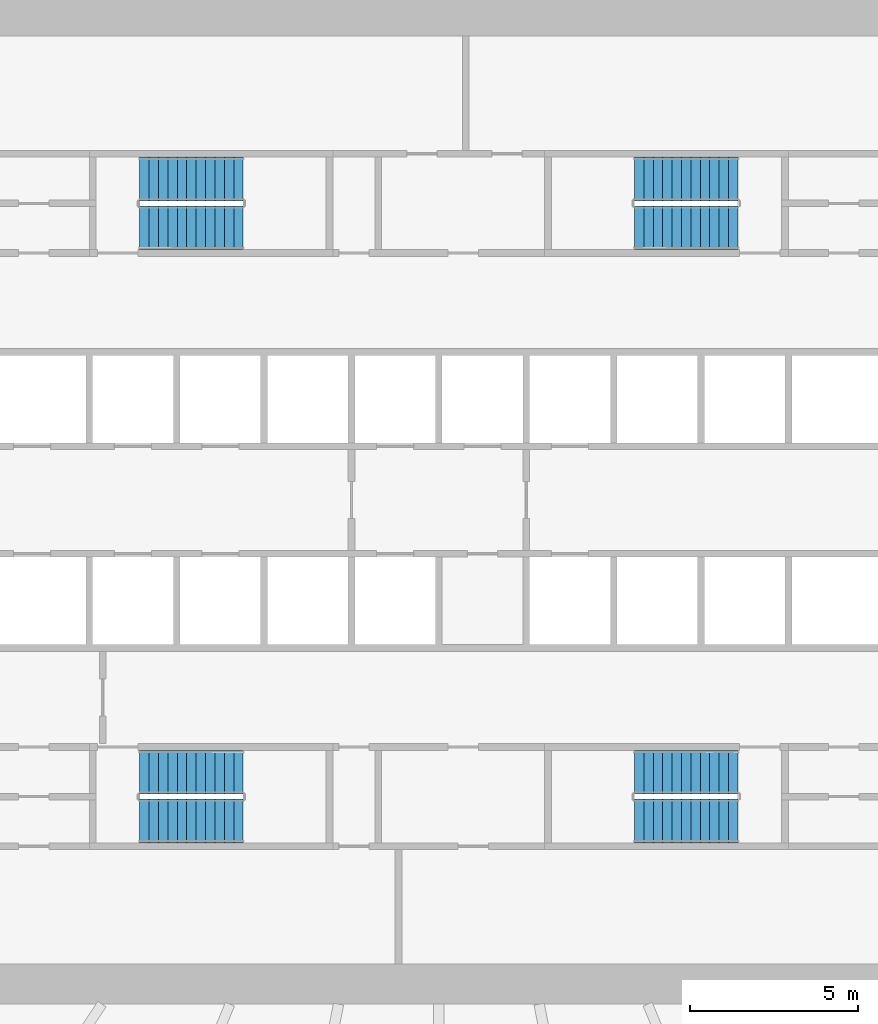
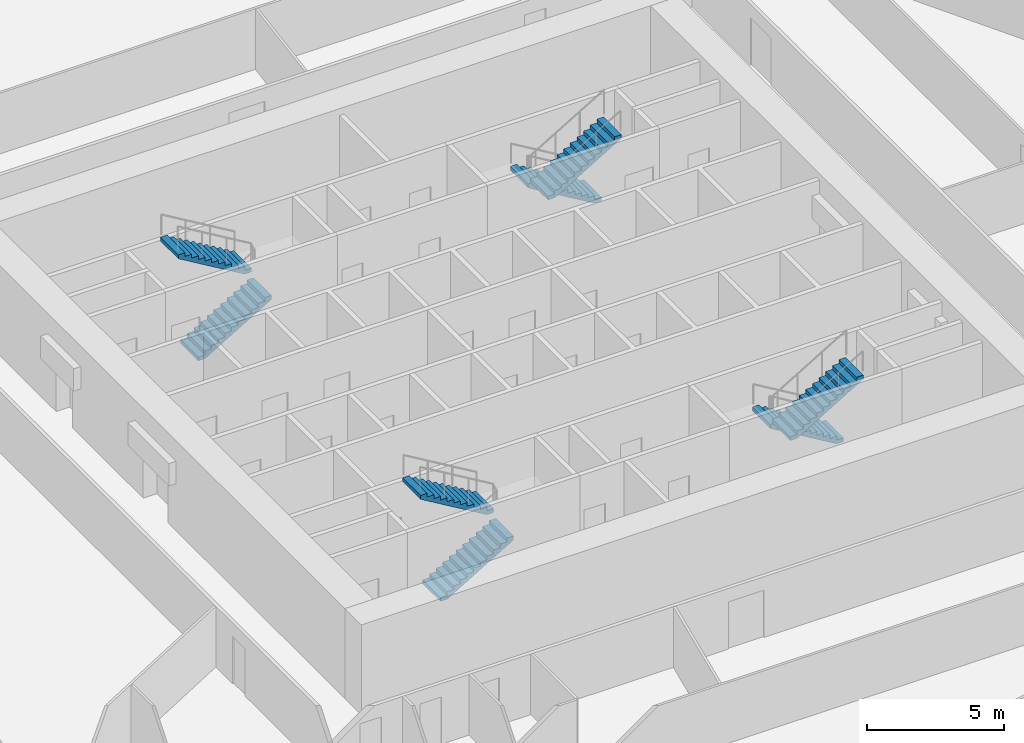
# One storey, part 15 of 17: 8 stair flights, 4 elements without a shape of their own.
"""IFC4 building model written with IfcOpenShell, lengths in metres."""

from ifc_helpers import new_model, si_unit, direction, frame, origin, place, context, subcontext, project, spatial, polyline, outline, extrude, material, type_object, element, aggregate, save


model = new_model("IFC4")

# Units and contexts
model_context = context("Model", 3, precision=1e-05, world=origin(), true_north=direction((0.0, 1.0)))
body_context = subcontext(model_context, "Body", "Model", "MODEL_VIEW")
ifc_project = project(units=[si_unit("LENGTHUNIT", "METRE"), si_unit("AREAUNIT", "SQUARE_METRE"), si_unit("VOLUMEUNIT", "CUBIC_METRE"), si_unit("PLANEANGLEUNIT", "RADIAN"), si_unit("MASSUNIT", "GRAM", prefix="KILO")], contexts=[model_context])

# Site, building, storey
site_placement = place(None, origin())
site = spatial("IfcSite", under=ifc_project, at=site_placement, CompositionType="ELEMENT")
building_placement = place(site_placement, origin())
building = spatial("IfcBuilding", under=site, at=building_placement, Name="Corvane Civic Tower", CompositionType="ELEMENT")
storey_placement = place(building_placement, frame((0.0, 0.0, 37.0)))
storey = spatial("IfcBuildingStorey", under=building, at=storey_placement, Name="L07", CompositionType="ELEMENT", Elevation=37.0)

# Stair, stair flights
ifc_material_1 = material(Name="Concrete C40/50", Category="concrete")
stair_type = type_object("IfcStairType", Name="ST-STAIR-HALFTURN", PredefinedType="HALF_TURN_STAIR", material=ifc_material_1)
stair_1_placement = place(storey_placement, origin())
stair_1 = element("IfcStair", 1, at=stair_1_placement, inside=storey, type_object=stair_type, Name="L07 Exit stair ST1", PredefinedType="HALF_TURN_STAIR")
ifc_material_2 = material(Name="Concrete C40/50", Category="concrete")
stair_flight_type = type_object("IfcStairFlightType", Name="ST-FLIGHT-RC", PredefinedType="STRAIGHT", material=ifc_material_2)
stair_flight_1_placement = place(storey_placement, frame((8.89990234375, 9.550048828125, 0.0), z_axis=(0.0, 0.0, 1.0), x_axis=(-1.0, 0.0, 0.0)))
stair_flight_1 = element("IfcStairFlight", 2, at=stair_flight_1_placement, type_object=stair_flight_type, Name="ST1 flight 1", NumberOfRisers=12, NumberOfTreads=11, PredefinedType="STRAIGHT", RiserHeight=0.166666667, TreadLength=0.28, context=body_context, shape_type="SweptSolid", body=[
    extrude(outline(polyline([(0.0, 0.0), (0.0, 0.166748046875), (0.280029296875, 0.166748046875), (0.280029296875, 0.333251953125), (0.56005859375, 0.333251953125), (0.56005859375, 0.5), (0.840087890625, 0.5), (0.840087890625, 0.666748046875), (1.1201171875, 0.666748046875), (1.1201171875, 0.833251953125), (1.39990234375, 0.833251953125), (1.39990234375, 1.0), (1.679931640625, 1.0), (1.679931640625, 1.166748046875), (1.9599609375, 1.166748046875), (1.9599609375, 1.333251953125), (2.239990234375, 1.333251953125), (2.239990234375, 1.5), (2.52001953125, 1.5), (2.52001953125, 1.666748046875), (2.800048828125, 1.666748046875), (2.800048828125, 1.833251953125), (3.080078125, 1.833251953125), (3.080078125, 2.0), (3.080078125, 1.658935546875), (0.29296875, 0.0), (0.0, 0.0)])), frame((0.0, 0.64990234375, 0.0), z_axis=(0.0, -1.0, 0.0), x_axis=(1.0, 0.0, 0.0)), (0.0, 0.0, 1.0), 1.300048828125),
])
stair_flight_2_placement = place(storey_placement, frame((5.820068359375, 8.10009765625, 2.0), z_axis=(0.0, 0.0, 1.0), x_axis=(1.0, 0.0, 0.0)))
stair_flight_2 = element("IfcStairFlight", 3, at=stair_flight_2_placement, type_object=stair_flight_type, Name="ST1 flight 2", NumberOfRisers=12, NumberOfTreads=11, PredefinedType="STRAIGHT", RiserHeight=0.166666667, TreadLength=0.28, context=body_context, shape_type="SweptSolid", body=[
    extrude(outline(polyline([(0.0, 0.0), (0.0, 0.166748046875), (0.280029296875, 0.166748046875), (0.280029296875, 0.333251953125), (0.56005859375, 0.333251953125), (0.56005859375, 0.5), (0.840087890625, 0.5), (0.840087890625, 0.666748046875), (1.1201171875, 0.666748046875), (1.1201171875, 0.833251953125), (1.39990234375, 0.833251953125), (1.39990234375, 1.0), (1.679931640625, 1.0), (1.679931640625, 1.166748046875), (1.9599609375, 1.166748046875), (1.9599609375, 1.333251953125), (2.239990234375, 1.333251953125), (2.239990234375, 1.5), (2.52001953125, 1.5), (2.52001953125, 1.666748046875), (2.800048828125, 1.666748046875), (2.800048828125, 1.833251953125), (3.080078125, 1.833251953125), (3.080078125, 2.0), (3.080078125, 1.658935546875), (0.29296875, 0.0), (0.0, 0.0)])), frame((0.0, 0.64990234375, 0.0), z_axis=(0.0, -1.0, 0.0), x_axis=(1.0, 0.0, 0.0)), (0.0, 0.0, 1.0), 1.300048828125),
])
aggregate(stair_1, [stair_flight_1, stair_flight_2])

stair_2_placement = place(storey_placement, origin())
stair_2 = element("IfcStair", 4, at=stair_2_placement, inside=storey, type_object=stair_type, Name="L07 Exit stair ST2", PredefinedType="HALF_TURN_STAIR")
stair_flight_3_placement = place(storey_placement, frame((8.89990234375, -8.10009765625, 0.0), z_axis=(0.0, 0.0, 1.0), x_axis=(-1.0, 0.0, 0.0)))
stair_flight_3 = element("IfcStairFlight", 5, at=stair_flight_3_placement, type_object=stair_flight_type, Name="ST2 flight 1", NumberOfRisers=12, NumberOfTreads=11, PredefinedType="STRAIGHT", RiserHeight=0.166666667, TreadLength=0.28, context=body_context, shape_type="SweptSolid", body=[
    extrude(outline(polyline([(0.0, 0.0), (0.0, 0.166748046875), (0.280029296875, 0.166748046875), (0.280029296875, 0.333251953125), (0.56005859375, 0.333251953125), (0.56005859375, 0.5), (0.840087890625, 0.5), (0.840087890625, 0.666748046875), (1.1201171875, 0.666748046875), (1.1201171875, 0.833251953125), (1.39990234375, 0.833251953125), (1.39990234375, 1.0), (1.679931640625, 1.0), (1.679931640625, 1.166748046875), (1.9599609375, 1.166748046875), (1.9599609375, 1.333251953125), (2.239990234375, 1.333251953125), (2.239990234375, 1.5), (2.52001953125, 1.5), (2.52001953125, 1.666748046875), (2.800048828125, 1.666748046875), (2.800048828125, 1.833251953125), (3.080078125, 1.833251953125), (3.080078125, 2.0), (3.080078125, 1.658935546875), (0.29296875, 0.0), (0.0, 0.0)])), frame((0.0, 0.64990234375, 0.0), z_axis=(0.0, -1.0, 0.0), x_axis=(1.0, 0.0, 0.0)), (0.0, 0.0, 1.0), 1.300048828125),
])
stair_flight_4_placement = place(storey_placement, frame((5.820068359375, -9.550048828125, 2.0), z_axis=(0.0, 0.0, 1.0), x_axis=(1.0, 0.0, 0.0)))
stair_flight_4 = element("IfcStairFlight", 6, at=stair_flight_4_placement, type_object=stair_flight_type, Name="ST2 flight 2", NumberOfRisers=12, NumberOfTreads=11, PredefinedType="STRAIGHT", RiserHeight=0.166666667, TreadLength=0.28, context=body_context, shape_type="SweptSolid", body=[
    extrude(outline(polyline([(0.0, 0.0), (0.0, 0.166748046875), (0.280029296875, 0.166748046875), (0.280029296875, 0.333251953125), (0.56005859375, 0.333251953125), (0.56005859375, 0.5), (0.840087890625, 0.5), (0.840087890625, 0.666748046875), (1.1201171875, 0.666748046875), (1.1201171875, 0.833251953125), (1.39990234375, 0.833251953125), (1.39990234375, 1.0), (1.679931640625, 1.0), (1.679931640625, 1.166748046875), (1.9599609375, 1.166748046875), (1.9599609375, 1.333251953125), (2.239990234375, 1.333251953125), (2.239990234375, 1.5), (2.52001953125, 1.5), (2.52001953125, 1.666748046875), (2.800048828125, 1.666748046875), (2.800048828125, 1.833251953125), (3.080078125, 1.833251953125), (3.080078125, 2.0), (3.080078125, 1.658935546875), (0.29296875, 0.0), (0.0, 0.0)])), frame((0.0, 0.64990234375, 0.0), z_axis=(0.0, -1.0, 0.0), x_axis=(1.0, 0.0, 0.0)), (0.0, 0.0, 1.0), 1.300048828125),
])
aggregate(stair_2, [stair_flight_3, stair_flight_4])

stair_3_placement = place(storey_placement, origin())
stair_3 = element("IfcStair", 7, at=stair_3_placement, inside=storey, type_object=stair_type, Name="L07 Exit stair ST3", PredefinedType="HALF_TURN_STAIR")
stair_flight_5_placement = place(storey_placement, frame((-8.89990234375, -9.550048828125, 0.0), z_axis=(0.0, 0.0, 1.0), x_axis=(1.0, 0.0, 0.0)))
stair_flight_5 = element("IfcStairFlight", 8, at=stair_flight_5_placement, type_object=stair_flight_type, Name="ST3 flight 1", NumberOfRisers=12, NumberOfTreads=11, PredefinedType="STRAIGHT", RiserHeight=0.166666667, TreadLength=0.28, context=body_context, shape_type="SweptSolid", body=[
    extrude(outline(polyline([(0.0, 0.0), (0.0, 0.166748046875), (0.280029296875, 0.166748046875), (0.280029296875, 0.333251953125), (0.56005859375, 0.333251953125), (0.56005859375, 0.5), (0.840087890625, 0.5), (0.840087890625, 0.666748046875), (1.1201171875, 0.666748046875), (1.1201171875, 0.833251953125), (1.39990234375, 0.833251953125), (1.39990234375, 1.0), (1.679931640625, 1.0), (1.679931640625, 1.166748046875), (1.9599609375, 1.166748046875), (1.9599609375, 1.333251953125), (2.239990234375, 1.333251953125), (2.239990234375, 1.5), (2.52001953125, 1.5), (2.52001953125, 1.666748046875), (2.800048828125, 1.666748046875), (2.800048828125, 1.833251953125), (3.080078125, 1.833251953125), (3.080078125, 2.0), (3.080078125, 1.658935546875), (0.29296875, 0.0), (0.0, 0.0)])), frame((0.0, 0.64990234375, 0.0), z_axis=(0.0, -1.0, 0.0), x_axis=(1.0, 0.0, 0.0)), (0.0, 0.0, 1.0), 1.300048828125),
])
stair_flight_6_placement = place(storey_placement, frame((-5.820068359375, -8.10009765625, 2.0), z_axis=(0.0, 0.0, 1.0), x_axis=(-1.0, 0.0, 0.0)))
stair_flight_6 = element("IfcStairFlight", 9, at=stair_flight_6_placement, type_object=stair_flight_type, Name="ST3 flight 2", NumberOfRisers=12, NumberOfTreads=11, PredefinedType="STRAIGHT", RiserHeight=0.166666667, TreadLength=0.28, context=body_context, shape_type="SweptSolid", body=[
    extrude(outline(polyline([(0.0, 0.0), (0.0, 0.166748046875), (0.280029296875, 0.166748046875), (0.280029296875, 0.333251953125), (0.56005859375, 0.333251953125), (0.56005859375, 0.5), (0.840087890625, 0.5), (0.840087890625, 0.666748046875), (1.1201171875, 0.666748046875), (1.1201171875, 0.833251953125), (1.39990234375, 0.833251953125), (1.39990234375, 1.0), (1.679931640625, 1.0), (1.679931640625, 1.166748046875), (1.9599609375, 1.166748046875), (1.9599609375, 1.333251953125), (2.239990234375, 1.333251953125), (2.239990234375, 1.5), (2.52001953125, 1.5), (2.52001953125, 1.666748046875), (2.800048828125, 1.666748046875), (2.800048828125, 1.833251953125), (3.080078125, 1.833251953125), (3.080078125, 2.0), (3.080078125, 1.658935546875), (0.29296875, 0.0), (0.0, 0.0)])), frame((0.0, 0.64990234375, 0.0), z_axis=(0.0, -1.0, 0.0), x_axis=(1.0, 0.0, 0.0)), (0.0, 0.0, 1.0), 1.300048828125),
])
aggregate(stair_3, [stair_flight_5, stair_flight_6])

stair_4_placement = place(storey_placement, origin())
stair_4 = element("IfcStair", 10, at=stair_4_placement, inside=storey, type_object=stair_type, Name="L07 Exit stair ST4", PredefinedType="HALF_TURN_STAIR")
stair_flight_7_placement = place(storey_placement, frame((-8.89990234375, 8.10009765625, 0.0), z_axis=(0.0, 0.0, 1.0), x_axis=(1.0, 0.0, 0.0)))
stair_flight_7 = element("IfcStairFlight", 11, at=stair_flight_7_placement, type_object=stair_flight_type, Name="ST4 flight 1", NumberOfRisers=12, NumberOfTreads=11, PredefinedType="STRAIGHT", RiserHeight=0.166666667, TreadLength=0.28, context=body_context, shape_type="SweptSolid", body=[
    extrude(outline(polyline([(0.0, 0.0), (0.0, 0.166748046875), (0.280029296875, 0.166748046875), (0.280029296875, 0.333251953125), (0.56005859375, 0.333251953125), (0.56005859375, 0.5), (0.840087890625, 0.5), (0.840087890625, 0.666748046875), (1.1201171875, 0.666748046875), (1.1201171875, 0.833251953125), (1.39990234375, 0.833251953125), (1.39990234375, 1.0), (1.679931640625, 1.0), (1.679931640625, 1.166748046875), (1.9599609375, 1.166748046875), (1.9599609375, 1.333251953125), (2.239990234375, 1.333251953125), (2.239990234375, 1.5), (2.52001953125, 1.5), (2.52001953125, 1.666748046875), (2.800048828125, 1.666748046875), (2.800048828125, 1.833251953125), (3.080078125, 1.833251953125), (3.080078125, 2.0), (3.080078125, 1.658935546875), (0.29296875, 0.0), (0.0, 0.0)])), frame((0.0, 0.64990234375, 0.0), z_axis=(0.0, -1.0, 0.0), x_axis=(1.0, 0.0, 0.0)), (0.0, 0.0, 1.0), 1.300048828125),
])
stair_flight_8_placement = place(storey_placement, frame((-5.820068359375, 9.550048828125, 2.0), z_axis=(0.0, 0.0, 1.0), x_axis=(-1.0, 0.0, 0.0)))
stair_flight_8 = element("IfcStairFlight", 12, at=stair_flight_8_placement, type_object=stair_flight_type, Name="ST4 flight 2", NumberOfRisers=12, NumberOfTreads=11, PredefinedType="STRAIGHT", RiserHeight=0.166666667, TreadLength=0.28, context=body_context, shape_type="SweptSolid", body=[
    extrude(outline(polyline([(0.0, 0.0), (0.0, 0.166748046875), (0.280029296875, 0.166748046875), (0.280029296875, 0.333251953125), (0.56005859375, 0.333251953125), (0.56005859375, 0.5), (0.840087890625, 0.5), (0.840087890625, 0.666748046875), (1.1201171875, 0.666748046875), (1.1201171875, 0.833251953125), (1.39990234375, 0.833251953125), (1.39990234375, 1.0), (1.679931640625, 1.0), (1.679931640625, 1.166748046875), (1.9599609375, 1.166748046875), (1.9599609375, 1.333251953125), (2.239990234375, 1.333251953125), (2.239990234375, 1.5), (2.52001953125, 1.5), (2.52001953125, 1.666748046875), (2.800048828125, 1.666748046875), (2.800048828125, 1.833251953125), (3.080078125, 1.833251953125), (3.080078125, 2.0), (3.080078125, 1.658935546875), (0.29296875, 0.0), (0.0, 0.0)])), frame((0.0, 0.64990234375, 0.0), z_axis=(0.0, -1.0, 0.0), x_axis=(1.0, 0.0, 0.0)), (0.0, 0.0, 1.0), 1.300048828125),
])
aggregate(stair_4, [stair_flight_7, stair_flight_8])

save(model, "model.ifc")
